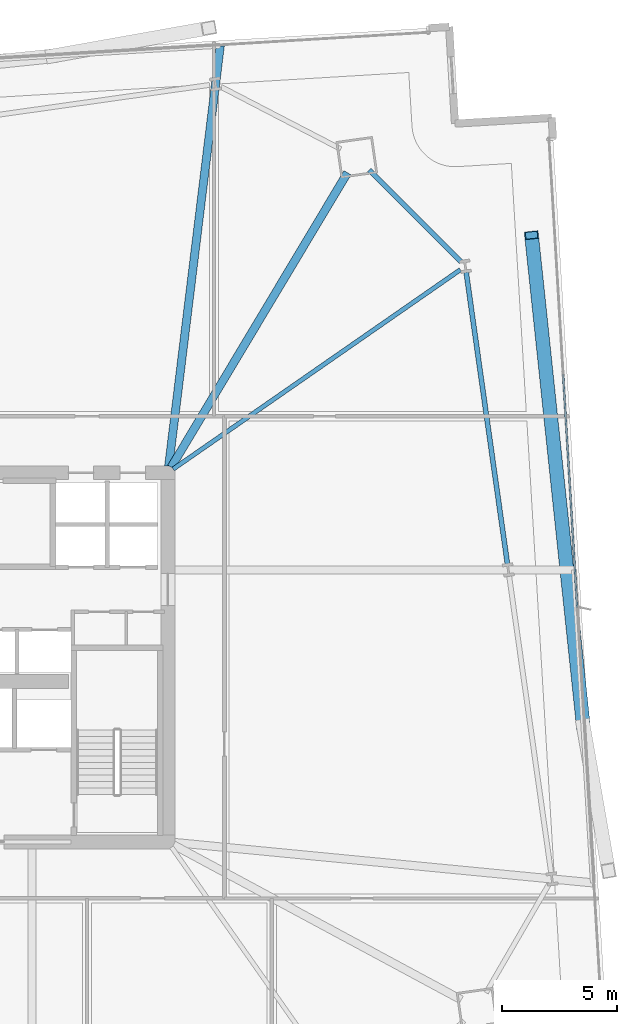
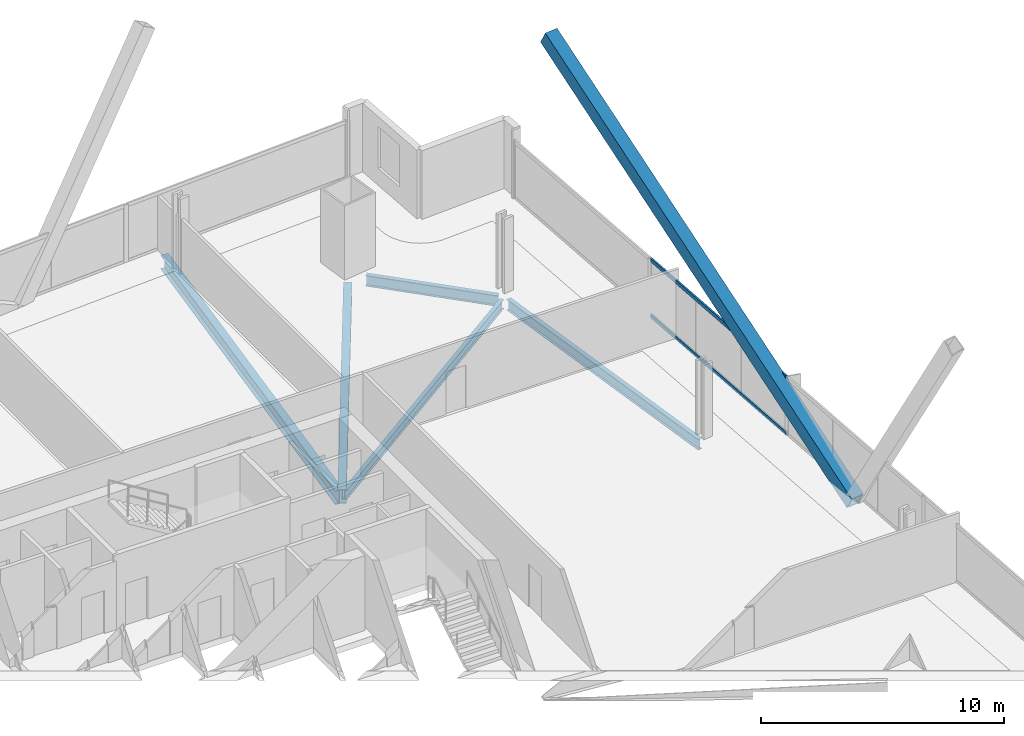
# One storey, part 21 of 34: 5 beams, 3 members, 1 element without a shape of its own.
"""IFC4 building model written with IfcOpenShell, lengths in metres."""

from ifc_helpers import new_model, si_unit, direction, frame, origin, origin_2d, place, context, subcontext, project, spatial, hollow_rectangle, i_section, extrude, material, material_profile, profile_set, type_object, element, aggregate, save


model = new_model("IFC4")

# Units and contexts
model_context = context("Model", 3, precision=1e-05, world=origin(), true_north=direction((0.0, 1.0)))
body_context = subcontext(model_context, "Body", "Model", "MODEL_VIEW")
ifc_project = project(units=[si_unit("LENGTHUNIT", "METRE"), si_unit("AREAUNIT", "SQUARE_METRE"), si_unit("VOLUMEUNIT", "CUBIC_METRE"), si_unit("PLANEANGLEUNIT", "RADIAN"), si_unit("MASSUNIT", "GRAM", prefix="KILO")], contexts=[model_context])

# Site, building, storey
site_placement = place(None, origin())
site = spatial("IfcSite", under=ifc_project, at=site_placement, CompositionType="ELEMENT")
building_placement = place(site_placement, origin())
building = spatial("IfcBuilding", under=site, at=building_placement, Name="Haldenkirk Collegiate Tower", CompositionType="ELEMENT")
storey_placement = place(building_placement, frame((0.0, 0.0, 40.199951171875)))
storey = spatial("IfcBuildingStorey", under=building, at=storey_placement, Name="L08", CompositionType="ELEMENT", Elevation=40.199951171875)

# Beams
ifc_material_1 = material(Name="Steel ASTM A992 Grade 50", Category="steel")
ifc_material_profile_1 = material_profile(ifc_material_1, i_section(OverallWidth=0.35498046875, OverallDepth=0.696044921875, WebThickness=0.015380859375, FlangeThickness=0.02490234375, at=origin_2d()), Name="W27X146")
ifc_profile_set_1 = profile_set([ifc_material_profile_1], Name="Steel ASTM A992 Grade 50")
beam_type_1 = type_object("IfcBeamType", Name="BM-GIRDER-W27X146", PredefinedType="BEAM", material=ifc_profile_set_1)
beam_1_placement = place(storey_placement, frame((52.783935546875, 47.000732421875, -0.657958984375), z_axis=(-0.513696499257, -0.857971973115, 0.0), x_axis=(0.857971973115, -0.513696499257, 0.0)))
element("IfcBeam", 1, at=beam_1_placement, inside=storey, type_object=beam_type_1, Name="L08 primary floor girder 03", PredefinedType="BEAM", context=body_context, shape_type="SweptSolid", body=[
    extrude(i_section(OverallWidth=0.35498046875, OverallDepth=0.696044921875, WebThickness=0.015380859375, FlangeThickness=0.02490234375, at=origin_2d()), origin(), (0.0, 0.0, 1.0), 14.872802734375),
])
beam_2_placement = place(storey_placement, frame((47.269775390625, 52.506103515625, -0.657958984375), z_axis=(-0.121732305158, -0.99256296822, 0.0), x_axis=(0.99256296822, -0.121732305158, 0.0)))
element("IfcBeam", 2, at=beam_2_placement, inside=storey, type_object=beam_type_1, Name="L08 primary floor girder 11", PredefinedType="BEAM", context=body_context, shape_type="SweptSolid", body=[
    extrude(i_section(OverallWidth=0.35498046875, OverallDepth=0.696044921875, WebThickness=0.015380859375, FlangeThickness=0.02490234375, at=origin_2d()), origin(), (0.0, 0.0, 1.0), 18.36474609375),
])
ifc_material_profile_2 = material_profile(ifc_material_1, i_section(OverallWidth=0.19189453125, OverallDepth=0.462890625, WebThickness=0.010498046875, FlangeThickness=0.017578125, at=origin_2d()), Name="W18X60")
ifc_profile_set_2 = profile_set([ifc_material_profile_2], Name="Steel ASTM A992 Grade 50")
beam_type_2 = type_object("IfcBeamType", Name="BM-JOIST-W18X60", PredefinedType="JOIST", material=ifc_profile_set_2)
beam_3_placement = place(storey_placement, frame((57.675048828125, 42.7978515625, -0.54150390625), z_axis=(-0.821500606737, -0.570207640365, 0.0), x_axis=(0.570207640365, -0.821500606737, 0.0)))
element("IfcBeam", 3, at=beam_3_placement, inside=storey, type_object=beam_type_2, Name="L08 composite floor joist 10", PredefinedType="JOIST", context=body_context, shape_type="SweptSolid", body=[
    extrude(i_section(OverallWidth=0.19189453125, OverallDepth=0.462890625, WebThickness=0.010498046875, FlangeThickness=0.017578125, at=origin_2d()), origin(), (0.0, 0.0, 1.0), 15.149169921875),
])
ifc_material_profile_3 = material_profile(ifc_material_1, i_section(OverallWidth=0.2119140625, OverallDepth=0.5439453125, WebThickness=0.01318359375, FlangeThickness=0.021240234375, at=origin_2d()), Name="W21X83")
ifc_profile_set_3 = profile_set([ifc_material_profile_3], Name="Steel ASTM A992 Grade 50")
beam_type_3 = type_object("IfcBeamType", Name="BM-SPANDREL-W21X83", PredefinedType="SPANDREL", material=ifc_profile_set_3)
beam_4_placement = place(storey_placement, frame((59.716552734375, 30.050537109375, -0.58203125), z_axis=(-0.140052642207, 0.990144058918, 0.0), x_axis=(-0.990144058918, -0.140052642207, 0.0)))
element("IfcBeam", 4, at=beam_4_placement, inside=storey, type_object=beam_type_3, Name="L08 perimeter spandrel beam 07", PredefinedType="SPANDREL", context=body_context, shape_type="SweptSolid", body=[
    extrude(i_section(OverallWidth=0.2119140625, OverallDepth=0.5439453125, WebThickness=0.01318359375, FlangeThickness=0.021240234375, at=origin_2d()), origin(), (0.0, 0.0, 1.0), 12.761962890625),
])
beam_5_placement = place(storey_placement, frame((57.70556640625, 43.135986328125, -0.58203125), z_axis=(-0.706085689957, 0.708126400043, 0.0), x_axis=(-0.708126400043, -0.706085689957, 0.0)))
element("IfcBeam", 5, at=beam_5_placement, inside=storey, type_object=beam_type_3, Name="L08 perimeter spandrel beam 08", PredefinedType="SPANDREL", context=body_context, shape_type="SweptSolid", body=[
    extrude(i_section(OverallWidth=0.2119140625, OverallDepth=0.5439453125, WebThickness=0.01318359375, FlangeThickness=0.021240234375, at=origin_2d()), origin(), (0.0, 0.0, 1.0), 5.622802734375),
])

# Curtain wall, members
ifc_material_2 = material(Name="Anodised architectural bronze aluminium", Category="aluminium")
curtain_wall_type = type_object("IfcCurtainWallType", Name="CW-SYS1-CONVEX-LOW", PredefinedType="USERDEFINED", material=ifc_material_2)
curtain_wall_placement = place(storey_placement, origin())
curtain_wall = element("IfcCurtainWall", 6, at=curtain_wall_placement, inside=storey, type_object=curtain_wall_type, Name="L08 Lower tower convex bronze-framed unitised curtain wall", ObjectType="UNITISED CURTAIN WALL", PredefinedType="USERDEFINED")
ifc_material_profile_4 = material_profile(ifc_material_2, hollow_rectangle(XDim=0.080078125, YDim=0.179931640625, WallThickness=0.0048828125, at=origin_2d()), Name="CW-TRN-1A")
ifc_profile_set_4 = profile_set([ifc_material_profile_4], Name="Anodised architectural bronze aluminium")
member_type_1 = type_object("IfcMemberType", Name="CW-TRN-1A", PredefinedType="USERDEFINED", material=ifc_profile_set_4)
member_1_placement = place(storey_placement, frame((62.1298828125, 38.254638671875, 0.0400390625), z_axis=(0.060191323763, -0.998186858531, 0.0), x_axis=(0.998186858531, 0.060191323763, 0.0)))
member_1 = element("IfcMember", 7, at=member_1_placement, type_object=member_type_1, Name="CW-1A transom 2.1", ObjectType="TRANSOM", PredefinedType="USERDEFINED", context=body_context, shape_type="SweptSolid", body=[
    extrude(hollow_rectangle(XDim=0.080078125, YDim=0.179931640625, WallThickness=0.0048828125, at=origin_2d()), origin(), (0.0, 0.0, 1.0), 10.119873046875),
])
member_2_placement = place(storey_placement, frame((62.1298828125, 38.254638671875, 2.85107421875), z_axis=(0.060191323763, -0.998186858531, 0.0), x_axis=(0.998186858531, 0.060191323763, 0.0)))
member_2 = element("IfcMember", 8, at=member_2_placement, type_object=member_type_1, Name="CW-1A transom 2.2", ObjectType="TRANSOM", PredefinedType="USERDEFINED", context=body_context, shape_type="SweptSolid", body=[
    extrude(hollow_rectangle(XDim=0.080078125, YDim=0.179931640625, WallThickness=0.0048828125, at=origin_2d()), origin(), (0.0, 0.0, 1.0), 10.119873046875),
])
aggregate(curtain_wall, [member_1, member_2])

# Member
ifc_material_3 = material(Name="Steel ASTM A572 Grade 50", Category="steel")
ifc_material_profile_5 = material_profile(ifc_material_3, hollow_rectangle(XDim=0.60009765625, YDim=0.719970703125, WallThickness=0.044921875, at=origin_2d()), Name="BOX720X600X45")
ifc_profile_set_5 = profile_set([ifc_material_profile_5], Name="Steel ASTM A572 Grade 50")
member_type_2 = type_object("IfcMemberType", Name="MBR-MEGABRACE-BOX720X600X45", PredefinedType="BRACE", material=ifc_profile_set_5)
member_3_placement = place(storey_placement, frame((63.00927734375, 23.00537109375, -0.320068359375), z_axis=(-0.092947972568, 0.88031532616, 0.465194154008), x_axis=(-0.994472095205, -0.105001199318, 0.0)))
element("IfcMember", 9, at=member_3_placement, inside=storey, type_object=member_type_2, Name="Perimeter Mega Brace Z1 L08-L10 ER", PredefinedType="BRACE", context=body_context, shape_type="SweptSolid", body=[
    extrude(hollow_rectangle(XDim=0.60009765625, YDim=0.719970703125, WallThickness=0.044921875, at=origin_2d()), origin(), (0.0, 0.0, 1.0), 24.183349609375),
])

save(model, "model.ifc")
